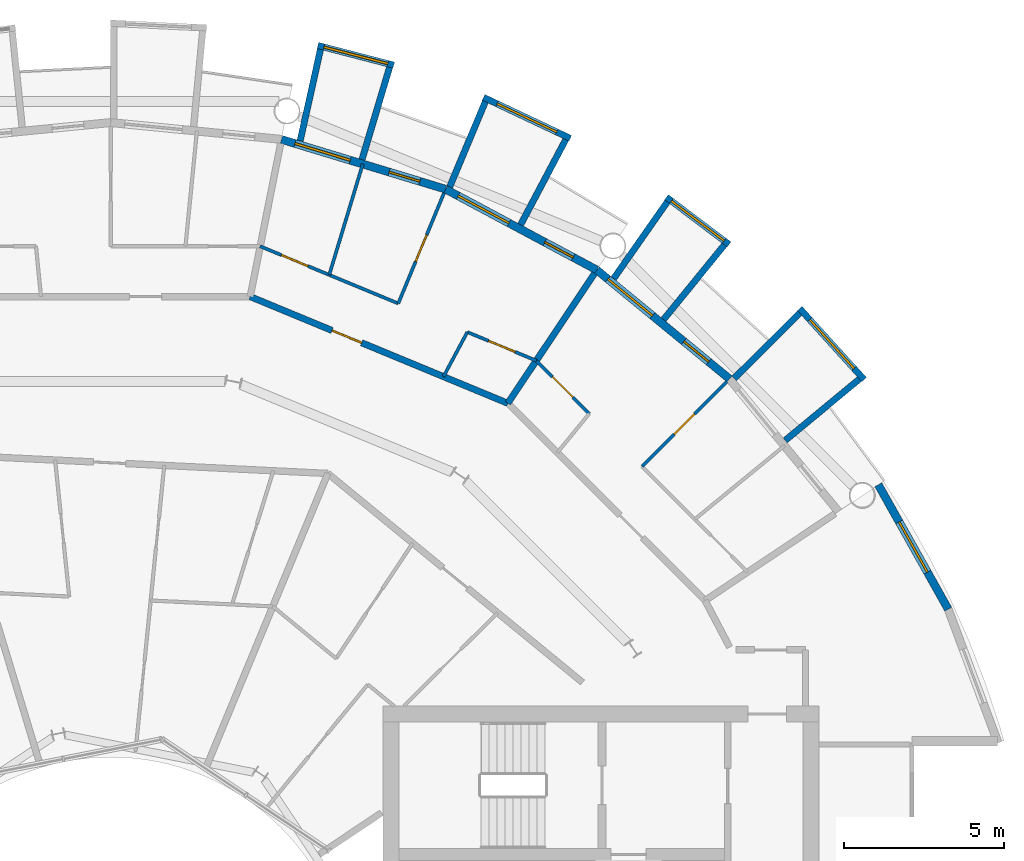
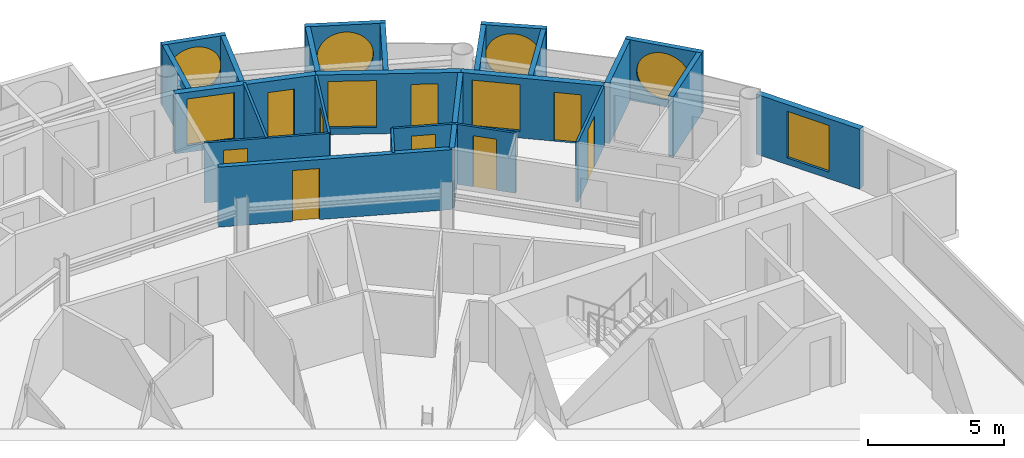
# One storey, part 23 of 27: 25 walls, 9 doors, 8 windows, 17 openings.
"""IFC4 building model written with IfcOpenShell, lengths in metres."""

import ifcopenshell
import ifcopenshell.guid

model = None  # the IFC model being written
_history = None  # IfcOwnerHistory: only IFC2X3 demands one
_inside = {}  # id of a spatial element -> (the spatial element, [elements in it])
_under = {}  # id of a project, library or spatial element -> (it, [spatial elements below it])
_declared = {}  # id of a project -> (the project, [libraries it declares])
_typed = {}  # id of a type object -> (the type object, [elements of that type])
_made_of = {}  # id of a material, layer set ... -> (it, [elements and type objects made of it])


def new_model(schema):
    """Start an empty IFC model of exactly this schema.

    Asked for "IFC4X3", IfcOpenShell would pick the latest addendum, in which some entities
    have other attributes; the version numbers below select the first issue.
    IFC2X3 requires an IfcOwnerHistory on every rooted entity: one is made here for all.
    """
    global model, _history
    if schema == "IFC4X3":
        model = ifcopenshell.file(schema_version=(4, 3, 0, 0))
    else:
        model = ifcopenshell.file(schema=schema)
    _inside.clear()
    _under.clear()
    _declared.clear()
    _typed.clear()
    _made_of.clear()
    _history = None
    if model.schema == "IFC2X3":
        org = make("IfcOrganization", Name="unknown")
        user = make(
            "IfcPersonAndOrganization",
            ThePerson=make("IfcPerson", FamilyName="unknown"),
            TheOrganization=org,
        )
        app = make(
            "IfcApplication",
            ApplicationDeveloper=org,
            Version="unknown",
            ApplicationFullName="unknown",
            ApplicationIdentifier="unknown",
        )
        _history = make(
            "IfcOwnerHistory",
            OwningUser=user,
            OwningApplication=app,
            ChangeAction="ADDED",
            CreationDate=0,
        )
    return model


def make(cls, **values):
    """One entity of the class cls with the attributes given. An attribute that is None is left unset."""
    return model.create_entity(
        cls, **{name: value for name, value in values.items() if value is not None}
    )


def rooted(cls, **values):
    """An entity with a GlobalId (a new one), such as an element, a storey or a relation."""
    return make(cls, GlobalId=ifcopenshell.guid.new(), OwnerHistory=_history, **values)


def si_unit(unit_type, name, prefix=None):
    """IfcSIUnit, for example si_unit("LENGTHUNIT", "METRE", prefix="MILLI")."""
    return make("IfcSIUnit", UnitType=unit_type, Prefix=prefix, Name=name)


def assignment(units):
    """IfcUnitAssignment: the units of a project."""
    return None if units is None else make("IfcUnitAssignment", Units=units)


def point(xyz):
    """IfcCartesianPoint."""
    return None if xyz is None else make("IfcCartesianPoint", Coordinates=xyz)


def direction(xyz):
    """IfcDirection."""
    return None if xyz is None else make("IfcDirection", DirectionRatios=xyz)


def frame(location, z_axis=None, x_axis=None):
    """IfcAxis2Placement3D, a coordinate frame: its origin and axes. An axis left out is left unset."""
    return make(
        "IfcAxis2Placement3D",
        Location=point(location),
        Axis=direction(z_axis),
        RefDirection=direction(x_axis),
    )


def frame_2d(location, x_axis=None):
    """IfcAxis2Placement2D, a coordinate frame in the plane: its origin and x axis."""
    return make(
        "IfcAxis2Placement2D", Location=point(location), RefDirection=direction(x_axis)
    )


def origin():
    """The frame at (0, 0, 0) with its axes left unset."""
    return frame((0.0, 0.0, 0.0))


def place(relative_to, where):
    """IfcLocalPlacement: puts the frame where relative to a parent placement (None: the world)."""
    return make(
        "IfcLocalPlacement", PlacementRelTo=relative_to, RelativePlacement=where
    )


def context(
    kind, dimensions, precision=None, world=None, true_north=None, identifier=None
):
    """IfcGeometricRepresentationContext, for example the 3D "Model" context."""
    return make(
        "IfcGeometricRepresentationContext",
        ContextIdentifier=identifier,
        ContextType=kind,
        CoordinateSpaceDimension=dimensions,
        Precision=precision,
        WorldCoordinateSystem=world,
        TrueNorth=true_north,
    )


def subcontext(parent, identifier, kind, view, scale=None):
    """IfcGeometricRepresentationSubContext, for example "Body" below "Model"."""
    return make(
        "IfcGeometricRepresentationSubContext",
        ContextIdentifier=identifier,
        ContextType=kind,
        ParentContext=parent,
        TargetScale=scale,
        TargetView=view,
    )


def project(units=None, contexts=None):
    """IfcProject with its units and contexts."""
    return rooted(
        "IfcProject",
        Name="project",
        RepresentationContexts=contexts,
        UnitsInContext=assignment(units),
    )


def spatial(cls, under=None, at=None, **own):
    """A site, building, storey or space (cls), placed at a placement, below another one or the project."""
    s = rooted(cls, ObjectPlacement=at, **own)
    if under is not None:
        _under.setdefault(under.id(), (under, []))[1].append(s)
    return s


def profile(cls, at=None, kind="AREA", **sizes):
    """A parametric profile (cls). Its sizes go by their IFC names, for example OverallWidth=200.0."""
    return make(cls, ProfileType=kind, Position=at, **sizes)


def rectangle(**sizes):
    """IfcRectangleProfileDef."""
    return profile("IfcRectangleProfileDef", **sizes)


def circle(**sizes):
    """IfcCircleProfileDef."""
    return profile("IfcCircleProfileDef", **sizes)


def extrude(swept, where, along, depth):
    """IfcExtrudedAreaSolid: the profile swept, set in the frame where, extruded along a direction by depth."""
    return make(
        "IfcExtrudedAreaSolid",
        SweptArea=swept,
        Position=where,
        ExtrudedDirection=direction(along),
        Depth=depth,
    )


def shape(context_of_items, identifier, shape_type, items):
    """IfcShapeRepresentation: the items that make up one representation, for example the "Body"."""
    return make(
        "IfcShapeRepresentation",
        ContextOfItems=context_of_items,
        RepresentationIdentifier=identifier,
        RepresentationType=shape_type,
        Items=items,
    )


def material(Name=None, Category=None):
    """IfcMaterial."""
    return make("IfcMaterial", Name=Name, Category=Category)


def layer(
    of_material, thickness, ventilated=None, Name=None, Category=None, Priority=None
):
    """IfcMaterialLayer: one layer of a wall or slab, of a material (None: an air gap)."""
    return make(
        "IfcMaterialLayer",
        Material=of_material,
        LayerThickness=thickness,
        IsVentilated=ventilated,
        Name=Name,
        Category=Category,
        Priority=Priority,
    )


def layer_set(layers, Name=None):
    """IfcMaterialLayerSet."""
    return make("IfcMaterialLayerSet", MaterialLayers=layers, LayerSetName=Name)


def made_of(thing, what):
    """Note that an element or type object is made of a material, layer set ...; save() writes the relation."""
    if what is not None:
        _made_of.setdefault(what.id(), (what, []))[1].append(thing)
    return thing


def type_object(cls, material=None, **own):
    """A type object (cls), such as IfcWallType, which elements share."""
    return made_of(rooted(cls, **own), material)


def element(
    cls,
    number,
    at=None,
    inside=None,
    cuts=None,
    type_object=None,
    material=None,
    context=None,
    identifier="Body",
    shape_type=None,
    held_by="IfcProductDefinitionShape",
    body=None,
    shapes=None,
    **own,
):
    """One element of the class cls, such as IfcWall. Its Tag is "e" and its number.

    at: its placement. inside: the storey or other place that contains it. cuts: it is an
    opening in that element (IfcRelVoidsElement). A single representation is given by context,
    identifier, shape_type and body (its items); several are given by shapes. held_by: the class
    of the entity that holds the representations. save() writes the other relations.
    """
    e = rooted(cls, Tag="e%d" % number, ObjectPlacement=at, **own)
    if body is not None:
        shapes = [shape(context, identifier, shape_type, body)]
    if shapes is not None:
        e.Representation = make(held_by, Representations=shapes)
    if inside is not None:
        _inside.setdefault(inside.id(), (inside, []))[1].append(e)
    if cuts is not None:
        rooted(
            "IfcRelVoidsElement", RelatingBuildingElement=cuts, RelatedOpeningElement=e
        )
    if type_object is not None:
        _typed.setdefault(type_object.id(), (type_object, []))[1].append(e)
    return made_of(e, material)


def fill(opening, filler):
    """IfcRelFillsElement: the door or window that sits in an opening."""
    return rooted(
        "IfcRelFillsElement",
        RelatingOpeningElement=opening,
        RelatedBuildingElement=filler,
    )


def aggregate(whole, parts):
    """IfcRelAggregates: a whole, such as a stair, and the parts it consists of."""
    return rooted("IfcRelAggregates", RelatingObject=whole, RelatedObjects=parts)


def save(model, path):
    """Write the relations noted so far, then the file.

    IfcRelAggregates (storeys below a building ...), IfcRelContainedInSpatialStructure (elements
    in a storey), IfcRelDefinesByType, IfcRelAssociatesMaterial and IfcRelDeclares: one each for
    every whole, place, type object, material and project.
    """
    for whole, parts in _under.values():
        aggregate(whole, parts)
    for where, things in _inside.values():
        rooted(
            "IfcRelContainedInSpatialStructure",
            RelatedElements=things,
            RelatingStructure=where,
        )
    for kind, things in _typed.values():
        rooted("IfcRelDefinesByType", RelatedObjects=things, RelatingType=kind)
    for what, things in _made_of.values():
        rooted("IfcRelAssociatesMaterial", RelatedObjects=things, RelatingMaterial=what)
    for by, libraries in _declared.values():
        rooted("IfcRelDeclares", RelatingContext=by, RelatedDefinitions=libraries)
    model.write(path)


model = new_model("IFC4")

# Units and contexts
model_context = context("Model", 3, precision=1e-05, world=origin(), true_north=direction((0.0, 1.0)))
body_context = subcontext(model_context, "Body", "Model", "MODEL_VIEW")
ifc_project = project(units=[si_unit("LENGTHUNIT", "METRE"), si_unit("AREAUNIT", "SQUARE_METRE"), si_unit("VOLUMEUNIT", "CUBIC_METRE"), si_unit("PLANEANGLEUNIT", "RADIAN"), si_unit("MASSUNIT", "GRAM", prefix="KILO")], contexts=[model_context])

# Site, building, storey
site_placement = place(None, origin())
site = spatial("IfcSite", under=ifc_project, at=site_placement, CompositionType="ELEMENT")
building_placement = place(site_placement, origin())
building = spatial("IfcBuilding", under=site, at=building_placement, Name="Maasbend Ring Residences", CompositionType="ELEMENT")
storey_placement = place(building_placement, frame((0.0, 0.0, 170.75)))
storey = spatial("IfcBuildingStorey", under=building, at=storey_placement, Name="L49", CompositionType="ELEMENT", Elevation=170.75)

# Wall, opening, door
ifc_material_1 = material(Name="Concrete C30/37", Category="concrete")
ifc_layer_1 = layer(ifc_material_1, 0.199951171875)
ifc_layer_set_1 = layer_set([ifc_layer_1], Name="Concrete C30/37")
wall_type_1 = type_object("IfcWallType", Name="CORRIDOR WALL 200 CONCRETE", PredefinedType="PARTITIONING", material=ifc_layer_set_1)
wall_1_placement = place(storey_placement, frame((4.346923828125, 21.8720703125, 0.0), z_axis=(0.0, 0.0, 1.0), x_axis=(0.923921124994, -0.382583003792, 0.0)))
wall_1 = element("IfcWall", 1, at=wall_1_placement, inside=storey, type_object=wall_type_1, Name="U-L49-w112", PredefinedType="PARTITIONING", context=body_context, shape_type="SweptSolid", body=[
    extrude(rectangle(XDim=8.7041015625, YDim=0.199951171875, at=frame_2d((4.35205078125, 0.0))), origin(), (0.0, 0.0, 1.0), 2.699951171875),
])
opening_1_placement = place(wall_1_placement, frame((2.76708984375, 0.0, 0.0)))
opening_1 = element("IfcOpeningElement", 2, at=opening_1_placement, cuts=wall_1, Name="Opening D-4905", PredefinedType="OPENING", context=body_context, shape_type="SweptSolid", body=[
    extrude(rectangle(XDim=1.0, YDim=2.300048828125, at=frame_2d((0.5, 1.14990234375))), frame((0.0, 0.10986328125, 0.0), z_axis=(0.0, -1.0, 0.0), x_axis=(1.0, 0.0, 0.0)), (0.0, 0.0, 1.0), 0.219970703125),
])
ifc_material_2 = material(Name="Timber, fire-rated, painted", Category="wood")
door_type_1 = type_object("IfcDoorType", Name="FLAT ENTRANCE DOOR 1000 X 2300 FIRE-RATED", OperationType="NOTDEFINED", PredefinedType="DOOR", material=ifc_material_2)
door_1_placement = place(opening_1_placement, origin())
door_1 = element("IfcDoor", 3, at=door_1_placement, inside=storey, type_object=door_type_1, Name="D-4905", OperationType="SINGLE_SWING_LEFT", OverallHeight=2.300048828125, OverallWidth=1.0, PredefinedType="DOOR", context=body_context, shape_type="SweptSolid", body=[
    extrude(rectangle(XDim=1.0, YDim=2.300048828125, at=frame_2d((0.5, 1.14990234375))), frame((0.0, 0.02490234375, 0.0), z_axis=(0.0, -1.0, 0.0), x_axis=(1.0, 0.0, 0.0)), (0.0, 0.0, 1.0), 0.050048828125),
])
fill(opening_1, door_1)

# Wall, opening, window
ifc_material_3 = material(Name="Pale anodised aluminium panel", Category="aluminium")
ifc_layer_2 = layer(ifc_material_3, 0.199951171875)
ifc_layer_set_2 = layer_set([ifc_layer_2], Name="EW-BOX")
wall_type_2 = type_object("IfcWallType", Name="EW-BOX", PredefinedType="SOLIDWALL", material=ifc_layer_set_2)
wall_2_placement = place(storey_placement, frame((23.5029296875, 19.281982421875, -0.030029296875), z_axis=(0.0, 0.0, 1.0), x_axis=(-0.671506829416, 0.740998365753, 0.0)))
wall_2 = element("IfcWall", 4, at=wall_2_placement, inside=storey, type_object=wall_type_2, Name="Box front N02", PredefinedType="SOLIDWALL", context=body_context, shape_type="SweptSolid", body=[
    extrude(rectangle(XDim=2.9931640625, YDim=0.199951171875, at=frame_2d((1.49658203125, 0.0))), origin(), (0.0, 0.0, 1.0), 2.72998046875),
])
opening_2_placement = place(wall_2_placement, frame((0.45654296875, 0.0, 0.330078125)))
opening_2 = element("IfcOpeningElement", 5, at=opening_2_placement, cuts=wall_2, Name="Opening W-RD", PredefinedType="OPENING", context=body_context, shape_type="SweptSolid", body=[
    extrude(circle(Radius=1.0400390625, at=frame_2d((1.0400390625, 1.0400390625))), frame((0.0, 0.10986328125, 0.0), z_axis=(0.0, -1.0, 0.0), x_axis=(1.0, 0.0, 0.0)), (0.0, 0.0, 1.0), 0.219970703125),
])
ifc_material_4 = material(Name="Aluminium and clear glass", Category="aluminium")
window_type_1 = type_object("IfcWindowType", Name="W-RD", PartitioningType="SINGLE_PANEL", PredefinedType="WINDOW", material=ifc_material_4)
window_1_placement = place(opening_2_placement, origin())
window_1 = element("IfcWindow", 6, at=window_1_placement, inside=storey, type_object=window_type_1, Name="Round window N02", OverallHeight=2.080078125, OverallWidth=2.080078125, PartitioningType="SINGLE_PANEL", PredefinedType="WINDOW", context=body_context, shape_type="SweptSolid", body=[
    extrude(circle(Radius=1.0400390625, at=frame_2d((1.0400390625, 1.0400390625))), frame((0.0, 0.030029296875, 0.0), z_axis=(0.0, -1.0, 0.0), x_axis=(1.0, 0.0, 0.0)), (0.0, 0.0, 1.0), 0.06005859375),
])
fill(opening_2, window_1)

# Walls
wall_3_placement = place(storey_placement, frame((21.041015625, 17.384033203125, -0.030029296875), z_axis=(0.0, 0.0, 1.0), x_axis=(0.770784861449, 0.63709551667, 0.0)))
element("IfcWall", 7, at=wall_3_placement, inside=storey, type_object=wall_type_2, Name="Box side wall N02 left", PredefinedType="SOLIDWALL", context=body_context, shape_type="SweptSolid", body=[
    extrude(rectangle(XDim=3.005859375, YDim=0.199951171875, at=frame_2d((1.5029296875, 0.0))), origin(), (0.0, 0.0, 1.0), 2.72998046875),
])
wall_4_placement = place(storey_placement, frame((19.449951171875, 19.322998046875, -0.030029296875), z_axis=(0.0, 0.0, 1.0), x_axis=(0.709727076896, 0.704476739375, 0.0)))
element("IfcWall", 8, at=wall_4_placement, inside=storey, type_object=wall_type_2, Name="Box side wall N02 right", PredefinedType="SOLIDWALL", context=body_context, shape_type="SweptSolid", body=[
    extrude(rectangle(XDim=2.883056640625, YDim=0.199951171875, at=frame_2d((1.44140625, 0.0))), origin(), (0.0, 0.0, 1.0), 2.72998046875),
])

# Wall, opening, window
wall_5_placement = place(storey_placement, frame((19.2890625, 23.4970703125, -0.030029296875), z_axis=(0.0, 0.0, 1.0), x_axis=(-0.797887588059, 0.602806268067, 0.0)))
wall_5 = element("IfcWall", 9, at=wall_5_placement, inside=storey, type_object=wall_type_2, Name="Box front N04", PredefinedType="SOLIDWALL", context=body_context, shape_type="SweptSolid", body=[
    extrude(rectangle(XDim=2.446533203125, YDim=0.199951171875, at=frame_2d((1.22314453125, 0.0))), origin(), (0.0, 0.0, 1.0), 2.72998046875),
])
opening_3_placement = place(wall_5_placement, frame((0.182861328125, 0.0, 0.330078125)))
opening_3 = element("IfcOpeningElement", 10, at=opening_3_placement, cuts=wall_5, Name="Opening W-RD", PredefinedType="OPENING", context=body_context, shape_type="SweptSolid", body=[
    extrude(circle(Radius=1.0400390625, at=frame_2d((1.0400390625, 1.0400390625))), frame((0.0, 0.10986328125, 0.0), z_axis=(0.0, -1.0, 0.0), x_axis=(1.0, 0.0, 0.0)), (0.0, 0.0, 1.0), 0.219970703125),
])
window_2_placement = place(opening_3_placement, origin())
window_2 = element("IfcWindow", 11, at=window_2_placement, inside=storey, type_object=window_type_1, Name="Round window N04", OverallHeight=2.080078125, OverallWidth=2.080078125, PartitioningType="SINGLE_PANEL", PredefinedType="WINDOW", context=body_context, shape_type="SweptSolid", body=[
    extrude(circle(Radius=1.0400390625, at=frame_2d((1.0400390625, 1.0400390625))), frame((0.0, 0.030029296875, 0.0), z_axis=(0.0, -1.0, 0.0), x_axis=(1.0, 0.0, 0.0)), (0.0, 0.0, 1.0), 0.06005859375),
])
fill(opening_3, window_2)

# Walls
wall_6_placement = place(storey_placement, frame((17.24609375, 21.155029296875, -0.030029296875), z_axis=(0.0, 0.0, 1.0), x_axis=(0.631741648902, 0.775179004516, 0.0)))
element("IfcWall", 12, at=wall_6_placement, inside=storey, type_object=wall_type_2, Name="Box side wall N04 left", PredefinedType="SOLIDWALL", context=body_context, shape_type="SweptSolid", body=[
    extrude(rectangle(XDim=3.005859375, YDim=0.199951171875, at=frame_2d((1.5029296875, 0.0))), origin(), (0.0, 0.0, 1.0), 2.72998046875),
])
wall_7_placement = place(storey_placement, frame((15.68798828125, 22.43310546875, -0.030029296875), z_axis=(0.0, 0.0, 1.0), x_axis=(0.573260687834, 0.819373043115, 0.0)))
element("IfcWall", 13, at=wall_7_placement, inside=storey, type_object=wall_type_2, Name="Box side wall N04 right", PredefinedType="SOLIDWALL", context=body_context, shape_type="SweptSolid", body=[
    extrude(rectangle(XDim=2.92529296875, YDim=0.199951171875, at=frame_2d((1.462646484375, 0.0))), origin(), (0.0, 0.0, 1.0), 2.72998046875),
])

# Wall, opening, window
wall_8_placement = place(storey_placement, frame((14.3349609375, 26.80810546875, -0.030029296875), z_axis=(0.0, 0.0, 1.0), x_axis=(-0.904000060331, 0.427532327342, 0.0)))
wall_8 = element("IfcWall", 14, at=wall_8_placement, inside=storey, type_object=wall_type_2, Name="Box front N06", PredefinedType="SOLIDWALL", context=body_context, shape_type="SweptSolid", body=[
    extrude(rectangle(XDim=2.993408203125, YDim=0.199951171875, at=frame_2d((1.49658203125, 0.0))), origin(), (0.0, 0.0, 1.0), 2.72998046875),
])
opening_4_placement = place(wall_8_placement, frame((0.45654296875, 0.0, 0.330078125)))
opening_4 = element("IfcOpeningElement", 15, at=opening_4_placement, cuts=wall_8, Name="Opening W-RD", PredefinedType="OPENING", context=body_context, shape_type="SweptSolid", body=[
    extrude(circle(Radius=1.0400390625, at=frame_2d((1.0400390625, 1.0400390625))), frame((0.0, 0.10986328125, 0.0), z_axis=(0.0, -1.0, 0.0), x_axis=(1.0, 0.0, 0.0)), (0.0, 0.0, 1.0), 0.219970703125),
])
window_3_placement = place(opening_4_placement, origin())
window_3 = element("IfcWindow", 16, at=window_3_placement, inside=storey, type_object=window_type_1, Name="Round window N06", OverallHeight=2.080078125, OverallWidth=2.080078125, PartitioningType="SINGLE_PANEL", PredefinedType="WINDOW", context=body_context, shape_type="SweptSolid", body=[
    extrude(circle(Radius=1.0400390625, at=frame_2d((1.0400390625, 1.0400390625))), frame((0.0, 0.030029296875, 0.0), z_axis=(0.0, -1.0, 0.0), x_axis=(1.0, 0.0, 0.0)), (0.0, 0.0, 1.0), 0.06005859375),
])
fill(opening_4, window_3)

# Walls
wall_9_placement = place(storey_placement, frame((12.787109375, 24.113037109375, -0.030029296875), z_axis=(0.0, 0.0, 1.0), x_axis=(0.468365282436, 0.883534924159, 0.0)))
element("IfcWall", 17, at=wall_9_placement, inside=storey, type_object=wall_type_2, Name="Box side wall N06 left", PredefinedType="SOLIDWALL", context=body_context, shape_type="SweptSolid", body=[
    extrude(rectangle(XDim=3.006103515625, YDim=0.199951171875, at=frame_2d((1.5029296875, 0.0))), origin(), (0.0, 0.0, 1.0), 2.72998046875),
])
wall_10_placement = place(storey_placement, frame((10.574951171875, 25.294921875, -0.030029296875), z_axis=(0.0, 0.0, 1.0), x_axis=(0.385697364644, 0.922625353492, 0.0)))
element("IfcWall", 18, at=wall_10_placement, inside=storey, type_object=wall_type_2, Name="Box side wall N06 right", PredefinedType="SOLIDWALL", context=body_context, shape_type="SweptSolid", body=[
    extrude(rectangle(XDim=2.88330078125, YDim=0.199951171875, at=frame_2d((1.441650390625, 0.0))), origin(), (0.0, 0.0, 1.0), 2.72998046875),
])

# Wall, opening, window
wall_11_placement = place(storey_placement, frame((8.8291015625, 29.090087890625, -0.030029296875), z_axis=(0.0, 0.0, 1.0), x_axis=(-0.96789536872, 0.251353446784, 0.0)))
wall_11 = element("IfcWall", 19, at=wall_11_placement, inside=storey, type_object=wall_type_2, Name="Box front N08", PredefinedType="SOLIDWALL", context=body_context, shape_type="SweptSolid", body=[
    extrude(rectangle(XDim=2.44677734375, YDim=0.199951171875, at=frame_2d((1.223388671875, 0.0))), origin(), (0.0, 0.0, 1.0), 2.72998046875),
])
opening_5_placement = place(wall_11_placement, frame((0.182861328125, 0.0, 0.330078125)))
opening_5 = element("IfcOpeningElement", 20, at=opening_5_placement, cuts=wall_11, Name="Opening W-RD", PredefinedType="OPENING", context=body_context, shape_type="SweptSolid", body=[
    extrude(circle(Radius=1.0400390625, at=frame_2d((1.0400390625, 1.0400390625))), frame((0.0, 0.10986328125, 0.0), z_axis=(0.0, -1.0, 0.0), x_axis=(1.0, 0.0, 0.0)), (0.0, 0.0, 1.0), 0.219970703125),
])
window_4_placement = place(opening_5_placement, origin())
window_4 = element("IfcWindow", 21, at=window_4_placement, inside=storey, type_object=window_type_1, Name="Round window N08", OverallHeight=2.080078125, OverallWidth=2.080078125, PartitioningType="SINGLE_PANEL", PredefinedType="WINDOW", context=body_context, shape_type="SweptSolid", body=[
    extrude(circle(Radius=1.0400390625, at=frame_2d((1.0400390625, 1.0400390625))), frame((0.0, 0.030029296875, 0.0), z_axis=(0.0, -1.0, 0.0), x_axis=(1.0, 0.0, 0.0)), (0.0, 0.0, 1.0), 0.06005859375),
])
fill(opening_5, window_4)

# Walls
wall_12_placement = place(storey_placement, frame((7.8369140625, 26.14404296875, -0.030029296875), z_axis=(0.0, 0.0, 1.0), x_axis=(0.287064767992, 0.957911174889, 0.0)))
element("IfcWall", 22, at=wall_12_placement, inside=storey, type_object=wall_type_2, Name="Box side wall N08 left", PredefinedType="SOLIDWALL", context=body_context, shape_type="SweptSolid", body=[
    extrude(rectangle(XDim=3.00634765625, YDim=0.199951171875, at=frame_2d((1.503173828125, 0.0))), origin(), (0.0, 0.0, 1.0), 2.72998046875),
])
wall_13_placement = place(storey_placement, frame((5.908935546875, 26.72900390625, -0.030029296875), z_axis=(0.0, 0.0, 1.0), x_axis=(0.216409053917, 0.976302781612, 0.0)))
element("IfcWall", 23, at=wall_13_placement, inside=storey, type_object=wall_type_2, Name="Box side wall N08 right", PredefinedType="SOLIDWALL", context=body_context, shape_type="SweptSolid", body=[
    extrude(rectangle(XDim=2.92529296875, YDim=0.199951171875, at=frame_2d((1.462646484375, 0.0))), origin(), (0.0, 0.0, 1.0), 2.72998046875),
])

# Wall, openings, door, window
ifc_material_5 = material(Name="Aluminium clad insulated panel", Category="aluminium")
ifc_layer_3 = layer(ifc_material_5, 0.25)
ifc_layer_set_3 = layer_set([ifc_layer_3], Name="EW-GL")
wall_type_3 = type_object("IfcWallType", Name="EW-GL", PredefinedType="SOLIDWALL", material=ifc_layer_set_3)
wall_14_placement = place(storey_placement, frame((19.303955078125, 19.303955078125, 0.0), z_axis=(0.0, 0.0, 1.0), x_axis=(-0.773019449054, 0.634382322723, 0.0)))
wall_14 = element("IfcWall", 24, at=wall_14_placement, inside=storey, type_object=wall_type_3, Name="External wall N02", PredefinedType="SOLIDWALL", context=body_context, shape_type="SweptSolid", body=[
    extrude(rectangle(XDim=5.351806640625, YDim=0.25, at=frame_2d((2.67578125, 0.0))), origin(), (0.0, 0.0, 1.0), 2.699951171875),
])
opening_6_placement = place(wall_14_placement, frame((0.841064453125, 0.0, 0.0)))
opening_6 = element("IfcOpeningElement", 25, at=opening_6_placement, cuts=wall_14, Name="Opening D-LG", PredefinedType="OPENING", context=body_context, shape_type="SweptSolid", body=[
    extrude(rectangle(XDim=1.0, YDim=2.199951171875, at=frame_2d((0.5, 1.10009765625))), frame((0.0, 0.135009765625, 0.0), z_axis=(0.0, -1.0, 0.0), x_axis=(1.0, 0.0, 0.0)), (0.0, 0.0, 1.0), 0.27001953125),
])
opening_7_placement = place(wall_14_placement, frame((3.110595703125, 0.0, 0.300048828125)))
opening_7 = element("IfcOpeningElement", 26, at=opening_7_placement, cuts=wall_14, Name="Opening W-BX", PredefinedType="OPENING", context=body_context, shape_type="SweptSolid", body=[
    extrude(rectangle(XDim=1.800048828125, YDim=2.10009765625, at=frame_2d((0.89990234375, 1.050048828125))), frame((0.0, 0.135009765625, 0.0), z_axis=(0.0, -1.0, 0.0), x_axis=(1.0, 0.0, 0.0)), (0.0, 0.0, 1.0), 0.27001953125),
])
ifc_material_6 = material(Name="Aluminium and clear glass", Category="aluminium")
door_type_2 = type_object("IfcDoorType", Name="D-LG", OperationType="SINGLE_SWING_LEFT", PredefinedType="DOOR", material=ifc_material_6)
door_2_placement = place(opening_6_placement, origin())
door_2 = element("IfcDoor", 27, at=door_2_placement, inside=storey, type_object=door_type_2, Name="Loggia door N03", OperationType="SINGLE_SWING_LEFT", OverallHeight=2.199951171875, OverallWidth=1.0, PredefinedType="DOOR", context=body_context, shape_type="SweptSolid", body=[
    extrude(rectangle(XDim=1.0, YDim=2.199951171875, at=frame_2d((0.5, 1.10009765625))), frame((0.0, 0.02490234375, 0.0), z_axis=(0.0, -1.0, 0.0), x_axis=(1.0, 0.0, 0.0)), (0.0, 0.0, 1.0), 0.050048828125),
])
fill(opening_6, door_2)
ifc_material_7 = material(Name="Aluminium and clear glass", Category="aluminium")
window_type_2 = type_object("IfcWindowType", Name="W-BX", PartitioningType="DOUBLE_PANEL_VERTICAL", PredefinedType="WINDOW", material=ifc_material_7)
window_5_placement = place(opening_7_placement, origin())
window_5 = element("IfcWindow", 28, at=window_5_placement, inside=storey, type_object=window_type_2, Name="Window N04 room to box", OverallHeight=2.10009765625, OverallWidth=1.800048828125, PartitioningType="SINGLE_PANEL", PredefinedType="WINDOW", context=body_context, shape_type="SweptSolid", body=[
    extrude(rectangle(XDim=1.800048828125, YDim=2.10009765625, at=frame_2d((0.89990234375, 1.050048828125))), frame((0.0, 0.030029296875, 0.0), z_axis=(0.0, -1.0, 0.0), x_axis=(1.0, 0.0, 0.0)), (0.0, 0.0, 1.0), 0.06005859375),
])
fill(opening_7, window_5)

wall_15_placement = place(storey_placement, frame((15.1669921875, 22.698974609375, 0.0), z_axis=(0.0, 0.0, 1.0), x_axis=(-0.881915646801, 0.471407246368, 0.0)))
wall_15 = element("IfcWall", 29, at=wall_15_placement, inside=storey, type_object=wall_type_3, Name="External wall N03", PredefinedType="SOLIDWALL", context=body_context, shape_type="SweptSolid", body=[
    extrude(rectangle(XDim=5.35205078125, YDim=0.25, at=frame_2d((2.676025390625, 0.0))), origin(), (0.0, 0.0, 1.0), 2.699951171875),
])
opening_8_placement = place(wall_15_placement, frame((0.841064453125, 0.0, 0.0)))
opening_8 = element("IfcOpeningElement", 30, at=opening_8_placement, cuts=wall_15, Name="Opening D-LG", PredefinedType="OPENING", context=body_context, shape_type="SweptSolid", body=[
    extrude(rectangle(XDim=1.0, YDim=2.199951171875, at=frame_2d((0.5, 1.10009765625))), frame((0.0, 0.135009765625, 0.0), z_axis=(0.0, -1.0, 0.0), x_axis=(1.0, 0.0, 0.0)), (0.0, 0.0, 1.0), 0.27001953125),
])
opening_9_placement = place(wall_15_placement, frame((3.110595703125, 0.0, 0.300048828125)))
opening_9 = element("IfcOpeningElement", 31, at=opening_9_placement, cuts=wall_15, Name="Opening W-BX", PredefinedType="OPENING", context=body_context, shape_type="SweptSolid", body=[
    extrude(rectangle(XDim=1.800048828125, YDim=2.10009765625, at=frame_2d((0.89990234375, 1.050048828125))), frame((0.0, 0.135009765625, 0.0), z_axis=(0.0, -1.0, 0.0), x_axis=(1.0, 0.0, 0.0)), (0.0, 0.0, 1.0), 0.27001953125),
])
door_3_placement = place(opening_8_placement, origin())
door_3 = element("IfcDoor", 32, at=door_3_placement, inside=storey, type_object=door_type_2, Name="Loggia door N05", OperationType="SINGLE_SWING_LEFT", OverallHeight=2.199951171875, OverallWidth=1.0, PredefinedType="DOOR", context=body_context, shape_type="SweptSolid", body=[
    extrude(rectangle(XDim=1.0, YDim=2.199951171875, at=frame_2d((0.5, 1.10009765625))), frame((0.0, 0.02490234375, 0.0), z_axis=(0.0, -1.0, 0.0), x_axis=(1.0, 0.0, 0.0)), (0.0, 0.0, 1.0), 0.050048828125),
])
fill(opening_8, door_3)
window_6_placement = place(opening_9_placement, origin())
window_6 = element("IfcWindow", 33, at=window_6_placement, inside=storey, type_object=window_type_2, Name="Window N06 room to box", OverallHeight=2.10009765625, OverallWidth=1.800048828125, PartitioningType="SINGLE_PANEL", PredefinedType="WINDOW", context=body_context, shape_type="SweptSolid", body=[
    extrude(rectangle(XDim=1.800048828125, YDim=2.10009765625, at=frame_2d((0.89990234375, 1.050048828125))), frame((0.0, 0.030029296875, 0.0), z_axis=(0.0, -1.0, 0.0), x_axis=(1.0, 0.0, 0.0)), (0.0, 0.0, 1.0), 0.06005859375),
])
fill(opening_9, window_6)

wall_16_placement = place(storey_placement, frame((10.447021484375, 25.221923828125, 0.0), z_axis=(0.0, 0.0, 1.0), x_axis=(-0.956965678721, 0.290201119486, 0.0)))
wall_16 = element("IfcWall", 34, at=wall_16_placement, inside=storey, type_object=wall_type_3, Name="External wall N04", PredefinedType="SOLIDWALL", context=body_context, shape_type="SweptSolid", body=[
    extrude(rectangle(XDim=5.351318359375, YDim=0.25, at=frame_2d((2.67578125, 0.0))), origin(), (0.0, 0.0, 1.0), 2.699951171875),
])
opening_10_placement = place(wall_16_placement, frame((0.841064453125, 0.0, 0.0)))
opening_10 = element("IfcOpeningElement", 35, at=opening_10_placement, cuts=wall_16, Name="Opening D-LG", PredefinedType="OPENING", context=body_context, shape_type="SweptSolid", body=[
    extrude(rectangle(XDim=1.0, YDim=2.199951171875, at=frame_2d((0.5, 1.10009765625))), frame((0.0, 0.135009765625, 0.0), z_axis=(0.0, -1.0, 0.0), x_axis=(1.0, 0.0, 0.0)), (0.0, 0.0, 1.0), 0.27001953125),
])
opening_11_placement = place(wall_16_placement, frame((3.110595703125, 0.0, 0.300048828125)))
opening_11 = element("IfcOpeningElement", 36, at=opening_11_placement, cuts=wall_16, Name="Opening W-BX", PredefinedType="OPENING", context=body_context, shape_type="SweptSolid", body=[
    extrude(rectangle(XDim=1.800048828125, YDim=2.10009765625, at=frame_2d((0.89990234375, 1.050048828125))), frame((0.0, 0.135009765625, 0.0), z_axis=(0.0, -1.0, 0.0), x_axis=(1.0, 0.0, 0.0)), (0.0, 0.0, 1.0), 0.27001953125),
])
door_4_placement = place(opening_10_placement, origin())
door_4 = element("IfcDoor", 37, at=door_4_placement, inside=storey, type_object=door_type_2, Name="Loggia door N07", OperationType="SINGLE_SWING_LEFT", OverallHeight=2.199951171875, OverallWidth=1.0, PredefinedType="DOOR", context=body_context, shape_type="SweptSolid", body=[
    extrude(rectangle(XDim=1.0, YDim=2.199951171875, at=frame_2d((0.5, 1.10009765625))), frame((0.0, 0.02490234375, 0.0), z_axis=(0.0, -1.0, 0.0), x_axis=(1.0, 0.0, 0.0)), (0.0, 0.0, 1.0), 0.050048828125),
])
fill(opening_10, door_4)
window_7_placement = place(opening_11_placement, origin())
window_7 = element("IfcWindow", 38, at=window_7_placement, inside=storey, type_object=window_type_2, Name="Window N08 room to box", OverallHeight=2.10009765625, OverallWidth=1.800048828125, PartitioningType="SINGLE_PANEL", PredefinedType="WINDOW", context=body_context, shape_type="SweptSolid", body=[
    extrude(rectangle(XDim=1.800048828125, YDim=2.10009765625, at=frame_2d((0.89990234375, 1.050048828125))), frame((0.0, 0.030029296875, 0.0), z_axis=(0.0, -1.0, 0.0), x_axis=(1.0, 0.0, 0.0)), (0.0, 0.0, 1.0), 0.06005859375),
])
fill(opening_11, window_7)

# Wall, opening, window
ifc_material_8 = material(Name="Aluminium clad insulated panel", Category="aluminium")
ifc_layer_4 = layer(ifc_material_8, 0.25)
ifc_layer_set_4 = layer_set([ifc_layer_4], Name="EW-HORN")
wall_type_4 = type_object("IfcWallType", Name="EW-HORN", PredefinedType="SOLIDWALL", material=ifc_layer_set_4)
wall_17_placement = place(storey_placement, frame((26.126953125, 12.116943359375, 0.0), z_axis=(0.0, 0.0, 1.0), x_axis=(-0.489696356642, 0.871893042919, 0.0)))
wall_17 = element("IfcWall", 39, at=wall_17_placement, inside=storey, type_object=wall_type_4, Name="Horn wall 1.2", PredefinedType="SOLIDWALL", context=body_context, shape_type="SweptSolid", body=[
    extrude(rectangle(XDim=4.45361328125, YDim=0.25, at=frame_2d((2.226806640625, 0.0))), origin(), (0.0, 0.0, 1.0), 2.699951171875),
])
opening_12_placement = place(wall_17_placement, frame((1.32666015625, 0.0, 0.300048828125)))
opening_12 = element("IfcOpeningElement", 40, at=opening_12_placement, cuts=wall_17, Name="Opening W-BX", PredefinedType="OPENING", context=body_context, shape_type="SweptSolid", body=[
    extrude(rectangle(XDim=1.800048828125, YDim=2.10009765625, at=frame_2d((0.89990234375, 1.050048828125))), frame((0.0, 0.135009765625, 0.0), z_axis=(0.0, -1.0, 0.0), x_axis=(1.0, 0.0, 0.0)), (0.0, 0.0, 1.0), 0.27001953125),
])
window_8_placement = place(opening_12_placement, origin())
window_8 = element("IfcWindow", 41, at=window_8_placement, inside=storey, type_object=window_type_2, Name="Horn window 1.2", OverallHeight=2.10009765625, OverallWidth=1.800048828125, PartitioningType="SINGLE_PANEL", PredefinedType="WINDOW", context=body_context, shape_type="SweptSolid", body=[
    extrude(rectangle(XDim=1.800048828125, YDim=2.10009765625, at=frame_2d((0.89990234375, 1.050048828125))), frame((0.0, 0.030029296875, 0.0), z_axis=(0.0, -1.0, 0.0), x_axis=(1.0, 0.0, 0.0)), (0.0, 0.0, 1.0), 0.06005859375),
])
fill(opening_12, window_8)

# Walls
ifc_material_9 = material(Name="Gypsum board on steel studs", Category="steel")
ifc_layer_5 = layer(ifc_material_9, 0.10009765625)
ifc_layer_set_5 = layer_set([ifc_layer_5], Name="PARTITION 100 GYPSUM")
wall_type_5 = type_object("IfcWallType", Name="PARTITION 100 GYPSUM", PredefinedType="PARTITIONING", material=ifc_layer_set_5)
wall_18_placement = place(storey_placement, frame((10.3798828125, 19.3740234375, 0.0), z_axis=(0.0, 0.0, 1.0), x_axis=(0.472002235476, 0.881597351236, 0.0)))
element("IfcWall", 42, at=wall_18_placement, inside=storey, type_object=wall_type_5, Name="U-L49-w034", PredefinedType="PARTITIONING", context=body_context, shape_type="SweptSolid", body=[
    extrude(rectangle(XDim=1.57666015625, YDim=0.10009765625, at=frame_2d((0.788330078125, 0.0))), origin(), (0.0, 0.0, 1.0), 2.699951171875),
])
wall_19_placement = place(storey_placement, frame((6.81689453125, 22.549072265625, 0.0), z_axis=(0.0, 0.0, 1.0), x_axis=(0.289439829793, 0.957196210256, 0.0)))
element("IfcWall", 43, at=wall_19_placement, inside=storey, type_object=wall_type_5, Name="U-L49-w078", PredefinedType="PARTITIONING", context=body_context, shape_type="SweptSolid", body=[
    extrude(rectangle(XDim=3.61767578125, YDim=0.10009765625, at=frame_2d((1.808837890625, 0.0))), origin(), (0.0, 0.0, 1.0), 2.699951171875),
])

# Wall, opening, door
wall_20_placement = place(storey_placement, frame((8.969970703125, 21.656982421875, 0.0), z_axis=(0.0, 0.0, 1.0), x_axis=(0.382761856702, 0.923847044188, 0.0)))
wall_20 = element("IfcWall", 44, at=wall_20_placement, inside=storey, type_object=wall_type_5, Name="U-L49-w081", PredefinedType="PARTITIONING", context=body_context, shape_type="SweptSolid", body=[
    extrude(rectangle(XDim=3.733154296875, YDim=0.10009765625, at=frame_2d((1.86669921875, 0.0))), origin(), (0.0, 0.0, 1.0), 2.699951171875),
])
opening_13_placement = place(wall_20_placement, frame((1.4169921875, 0.0, 0.0)))
opening_13 = element("IfcOpeningElement", 45, at=opening_13_placement, cuts=wall_20, Name="Opening D-4907", PredefinedType="OPENING", context=body_context, shape_type="SweptSolid", body=[
    extrude(rectangle(XDim=0.89990234375, YDim=2.300048828125, at=frame_2d((0.449951171875, 1.14990234375))), frame((0.0, 0.06005859375, 0.0), z_axis=(0.0, -1.0, 0.0), x_axis=(1.0, 0.0, 0.0)), (0.0, 0.0, 1.0), 0.1201171875),
])
ifc_material_10 = material(Name="Timber, painted", Category="wood")
door_type_3 = type_object("IfcDoorType", Name="INTERNAL DOOR 900 X 2300", OperationType="NOTDEFINED", PredefinedType="DOOR", material=ifc_material_10)
door_5_placement = place(opening_13_placement, origin())
door_5 = element("IfcDoor", 46, at=door_5_placement, inside=storey, type_object=door_type_3, Name="D-4907", OperationType="SINGLE_SWING_LEFT", OverallHeight=2.300048828125, OverallWidth=0.89990234375, PredefinedType="DOOR", context=body_context, shape_type="SweptSolid", body=[
    extrude(rectangle(XDim=0.89990234375, YDim=2.300048828125, at=frame_2d((0.449951171875, 1.14990234375))), frame((0.0, 0.02490234375, 0.0), z_axis=(0.0, -1.0, 0.0), x_axis=(1.0, 0.0, 0.0)), (0.0, 0.0, 1.0), 0.050048828125),
])
fill(opening_13, door_5)

wall_21_placement = place(storey_placement, frame((16.574951171875, 16.574951171875, 0.0), z_axis=(0.0, 0.0, 1.0), x_axis=(0.707106781187, 0.707106781187, 0.0)))
wall_21 = element("IfcWall", 47, at=wall_21_placement, inside=storey, type_object=wall_type_5, Name="U-L49-w089", PredefinedType="PARTITIONING", context=body_context, shape_type="SweptSolid", body=[
    extrude(rectangle(XDim=3.735107421875, YDim=0.10009765625, at=frame_2d((1.86767578125, 0.0))), origin(), (0.0, 0.0, 1.0), 2.699951171875),
])
opening_14_placement = place(wall_21_placement, frame((1.4169921875, 0.0, 0.0)))
opening_14 = element("IfcOpeningElement", 48, at=opening_14_placement, cuts=wall_21, Name="Opening D-4903", PredefinedType="OPENING", context=body_context, shape_type="SweptSolid", body=[
    extrude(rectangle(XDim=0.89990234375, YDim=2.300048828125, at=frame_2d((0.449951171875, 1.14990234375))), frame((0.0, 0.06005859375, 0.0), z_axis=(0.0, -1.0, 0.0), x_axis=(1.0, 0.0, 0.0)), (0.0, 0.0, 1.0), 0.1201171875),
])
door_6_placement = place(opening_14_placement, origin())
door_6 = element("IfcDoor", 49, at=door_6_placement, inside=storey, type_object=door_type_3, Name="D-4903", OperationType="SINGLE_SWING_RIGHT", OverallHeight=2.300048828125, OverallWidth=0.89990234375, PredefinedType="DOOR", context=body_context, shape_type="SweptSolid", body=[
    extrude(rectangle(XDim=0.89990234375, YDim=2.300048828125, at=frame_2d((0.449951171875, 1.14990234375))), frame((0.0, 0.02490234375, 0.0), z_axis=(0.0, -1.0, 0.0), x_axis=(1.0, 0.0, 0.0)), (0.0, 0.0, 1.0), 0.050048828125),
])
fill(opening_14, door_6)

wall_22_placement = place(storey_placement, frame((4.659912109375, 23.44091796875, 0.0), z_axis=(0.0, 0.0, 1.0), x_axis=(0.923920484476, -0.38258455061, 0.0)))
wall_22 = element("IfcWall", 50, at=wall_22_placement, inside=storey, type_object=wall_type_5, Name="U-L49-w122", PredefinedType="PARTITIONING", context=body_context, shape_type="SweptSolid", body=[
    extrude(rectangle(XDim=4.662841796875, YDim=0.10009765625, at=frame_2d((2.33154296875, 0.0))), origin(), (0.0, 0.0, 1.0), 2.699951171875),
])
opening_15_placement = place(wall_22_placement, frame((0.719970703125, 0.0, 0.0)))
opening_15 = element("IfcOpeningElement", 51, at=opening_15_placement, cuts=wall_22, Name="Opening D-4908", PredefinedType="OPENING", context=body_context, shape_type="SweptSolid", body=[
    extrude(rectangle(XDim=0.89990234375, YDim=2.300048828125, at=frame_2d((0.449951171875, 1.14990234375))), frame((0.0, 0.06005859375, 0.0), z_axis=(0.0, -1.0, 0.0), x_axis=(1.0, 0.0, 0.0)), (0.0, 0.0, 1.0), 0.1201171875),
])
door_7_placement = place(opening_15_placement, origin())
door_7 = element("IfcDoor", 52, at=door_7_placement, inside=storey, type_object=door_type_3, Name="D-4908", OperationType="SINGLE_SWING_LEFT", OverallHeight=2.300048828125, OverallWidth=0.89990234375, PredefinedType="DOOR", context=body_context, shape_type="SweptSolid", body=[
    extrude(rectangle(XDim=0.89990234375, YDim=2.300048828125, at=frame_2d((0.449951171875, 1.14990234375))), frame((0.0, 0.02490234375, 0.0), z_axis=(0.0, -1.0, 0.0), x_axis=(1.0, 0.0, 0.0)), (0.0, 0.0, 1.0), 0.050048828125),
])
fill(opening_15, door_7)

wall_23_placement = place(storey_placement, frame((11.1240234375, 20.763916015625, 0.0), z_axis=(0.0, 0.0, 1.0), x_axis=(0.923938991376, -0.382539854414, 0.0)))
wall_23 = element("IfcWall", 53, at=wall_23_placement, inside=storey, type_object=wall_type_5, Name="U-L49-w123", PredefinedType="PARTITIONING", context=body_context, shape_type="SweptSolid", body=[
    extrude(rectangle(XDim=2.331298828125, YDim=0.10009765625, at=frame_2d((1.16552734375, 0.0))), origin(), (0.0, 0.0, 1.0), 2.699951171875),
])
opening_16_placement = place(wall_23_placement, frame((0.716064453125, 0.0, 0.0)))
opening_16 = element("IfcOpeningElement", 54, at=opening_16_placement, cuts=wall_23, Name="Opening D-4906", PredefinedType="OPENING", context=body_context, shape_type="SweptSolid", body=[
    extrude(rectangle(XDim=0.89990234375, YDim=2.300048828125, at=frame_2d((0.449951171875, 1.14990234375))), frame((0.0, 0.06005859375, 0.0), z_axis=(0.0, -1.0, 0.0), x_axis=(1.0, 0.0, 0.0)), (0.0, 0.0, 1.0), 0.1201171875),
])
door_8_placement = place(opening_16_placement, origin())
door_8 = element("IfcDoor", 55, at=door_8_placement, inside=storey, type_object=door_type_3, Name="D-4906", OperationType="SINGLE_SWING_LEFT", OverallHeight=2.300048828125, OverallWidth=0.89990234375, PredefinedType="DOOR", context=body_context, shape_type="SweptSolid", body=[
    extrude(rectangle(XDim=0.89990234375, YDim=2.300048828125, at=frame_2d((0.449951171875, 1.14990234375))), frame((0.0, 0.02490234375, 0.0), z_axis=(0.0, -1.0, 0.0), x_axis=(1.0, 0.0, 0.0)), (0.0, 0.0, 1.0), 0.050048828125),
])
fill(opening_16, door_8)

wall_24_placement = place(storey_placement, frame((13.282958984375, 19.866943359375, 0.0), z_axis=(0.0, 0.0, 1.0), x_axis=(0.707106781187, -0.707106781187, 0.0)))
wall_24 = element("IfcWall", 56, at=wall_24_placement, inside=storey, type_object=wall_type_5, Name="U-L49-w124", PredefinedType="PARTITIONING", context=body_context, shape_type="SweptSolid", body=[
    extrude(rectangle(XDim=2.33203125, YDim=0.10009765625, at=frame_2d((1.166015625, 0.0))), origin(), (0.0, 0.0, 1.0), 2.699951171875),
])
opening_17_placement = place(wall_24_placement, frame((0.708984375, 0.0, 0.0)))
opening_17 = element("IfcOpeningElement", 57, at=opening_17_placement, cuts=wall_24, Name="Opening D-4902", PredefinedType="OPENING", context=body_context, shape_type="SweptSolid", body=[
    extrude(rectangle(XDim=0.89990234375, YDim=2.300048828125, at=frame_2d((0.449951171875, 1.14990234375))), frame((0.0, 0.06005859375, 0.0), z_axis=(0.0, -1.0, 0.0), x_axis=(1.0, 0.0, 0.0)), (0.0, 0.0, 1.0), 0.1201171875),
])
door_9_placement = place(opening_17_placement, origin())
door_9 = element("IfcDoor", 58, at=door_9_placement, inside=storey, type_object=door_type_3, Name="D-4902", OperationType="SINGLE_SWING_LEFT", OverallHeight=2.300048828125, OverallWidth=0.89990234375, PredefinedType="DOOR", context=body_context, shape_type="SweptSolid", body=[
    extrude(rectangle(XDim=0.89990234375, YDim=2.300048828125, at=frame_2d((0.449951171875, 1.14990234375))), frame((0.0, 0.02490234375, 0.0), z_axis=(0.0, -1.0, 0.0), x_axis=(1.0, 0.0, 0.0)), (0.0, 0.0, 1.0), 0.050048828125),
])
fill(opening_17, door_9)

# Wall
ifc_material_11 = material(Name="Concrete C30/37", Category="concrete")
ifc_layer_6 = layer(ifc_material_11, 0.199951171875)
ifc_layer_set_6 = layer_set([ifc_layer_6], Name="Concrete C30/37")
wall_type_6 = type_object("IfcWallType", Name="PARTY WALL 200 CONCRETE", PredefinedType="PARTITIONING", material=ifc_layer_set_6)
wall_25_placement = place(storey_placement, frame((12.387939453125, 18.54296875, 0.0), z_axis=(0.0, 0.0, 1.0), x_axis=(0.55555521993, 0.831479643532, 0.0)))
element("IfcWall", 59, at=wall_25_placement, inside=storey, type_object=wall_type_6, Name="U-L49-w084", PredefinedType="PARTITIONING", context=body_context, shape_type="SweptSolid", body=[
    extrude(rectangle(XDim=4.87451171875, YDim=0.199951171875, at=frame_2d((2.437255859375, 0.0))), origin(), (0.0, 0.0, 1.0), 2.699951171875),
])

save(model, "model.ifc")
